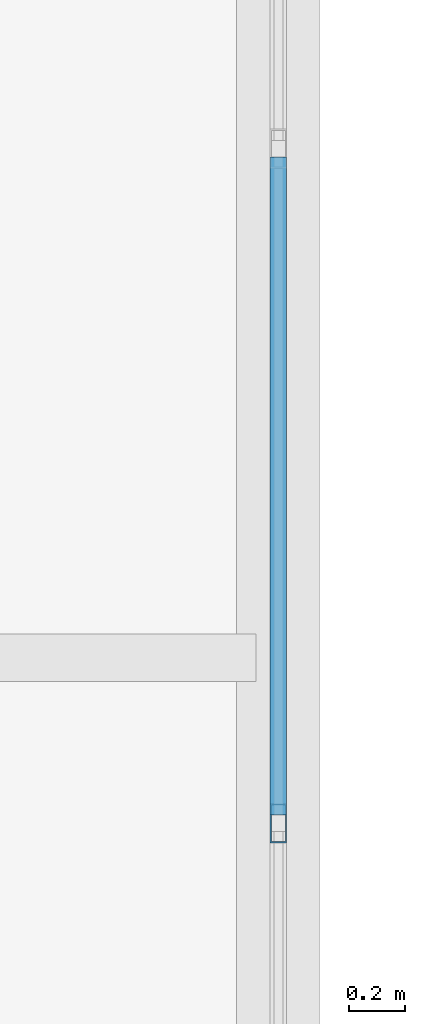
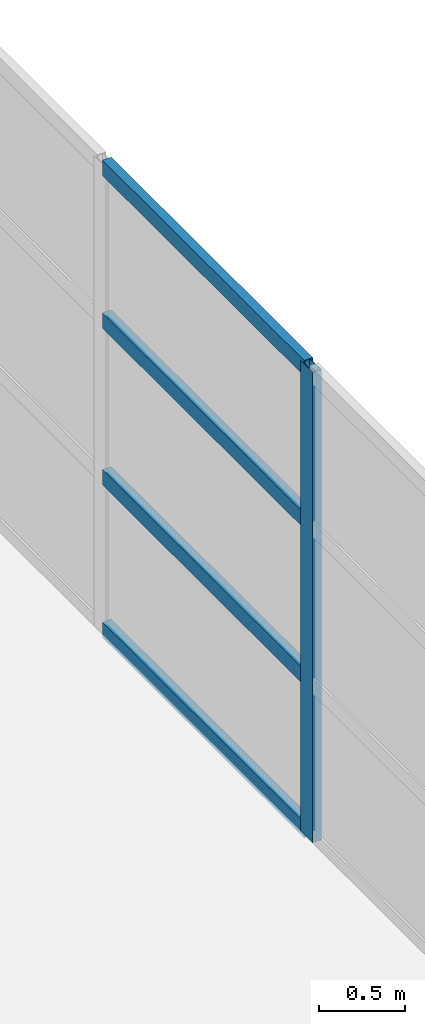
# One storey, part 109 of 158: 5 members, 1 element without a shape of its own.
"""IFC4 building model written with IfcOpenShell, lengths in metres."""

from ifc_helpers import new_model, si_unit, direction, frame, origin, origin_2d, place, context, subcontext, project, spatial, hollow_rectangle, extrude, material, layer, layer_set, material_profile, profile_set, type_object, element, aggregate, save


model = new_model("IFC4")

# Units and contexts
model_context = context("Model", 3, precision=1e-05, world=origin(), true_north=direction((0.0, 1.0)))
body_context = subcontext(model_context, "Body", "Model", "MODEL_VIEW")
ifc_project = project(units=[si_unit("LENGTHUNIT", "METRE"), si_unit("AREAUNIT", "SQUARE_METRE"), si_unit("VOLUMEUNIT", "CUBIC_METRE"), si_unit("PLANEANGLEUNIT", "RADIAN"), si_unit("MASSUNIT", "GRAM", prefix="KILO")], contexts=[model_context])

# Site, building, storey
site_placement = place(None, origin())
site = spatial("IfcSite", under=ifc_project, at=site_placement, CompositionType="ELEMENT")
building_placement = place(site_placement, origin())
building = spatial("IfcBuilding", under=site, at=building_placement, Name="Zilviju Railside Exhibition Hall", CompositionType="ELEMENT")
storey_placement = place(building_placement, frame((0.0, 0.0, 4.199951171875)))
storey = spatial("IfcBuildingStorey", under=building, at=storey_placement, Name="L02", CompositionType="ELEMENT", Elevation=4.199951171875)

# Curtain wall, members
ifc_material_1 = material(Name="Thermally broken aluminium-steel triple-glazed curtain wall", Category="steel")
ifc_layer = layer(ifc_material_1, 0.179931640625)
ifc_layer_set = layer_set([ifc_layer], Name="Thermally broken aluminium-steel triple-glazed curtain wall")
curtain_wall_type = type_object("IfcCurtainWallType", Name="CW-BAY-15", PredefinedType="USERDEFINED", material=ifc_layer_set)
curtain_wall_placement = place(storey_placement, origin())
curtain_wall = element("IfcCurtainWall", 1, at=curtain_wall_placement, inside=storey, type_object=curtain_wall_type, Name="North Hall East Glazed Gable L02 (84..102)", ObjectType="GLAZED CURTAIN WALL", PredefinedType="USERDEFINED")
ifc_material_2 = material(Name="Thermally broken anodized aluminium mullion", Category="aluminium")
ifc_material_profile_1 = material_profile(ifc_material_2, hollow_rectangle(XDim=0.06005859375, YDim=0.139892578125, WallThickness=0.0048828125, at=origin_2d()), Name="MULLION 140x60x5")
ifc_profile_set_1 = profile_set([ifc_material_profile_1], Name="Thermally broken anodized aluminium mullion")
member_type_1 = type_object("IfcMemberType", Name="CWM-60x140", PredefinedType="MULLION", material=ifc_profile_set_1)
member_1_placement = place(storey_placement, frame((216.0, 94.20703125, 0.0), z_axis=(0.0, 0.0, 1.0), x_axis=(1.0, 0.0, 0.0)))
member_1 = element("IfcMember", 2, at=member_1_placement, type_object=member_type_1, Name="CW-15 mullion 4", PredefinedType="MULLION", context=body_context, shape_type="SweptSolid", body=[
    extrude(hollow_rectangle(XDim=0.06005859375, YDim=0.139892578125, WallThickness=0.0048828125, at=origin_2d()), origin(), (0.0, 0.0, 1.0), 3.35009765625),
])
ifc_material_3 = material(Name="Thermally broken anodized aluminium transom", Category="aluminium")
ifc_material_profile_2 = material_profile(ifc_material_3, hollow_rectangle(XDim=0.06005859375, YDim=0.110107421875, WallThickness=0.0048828125, at=origin_2d()), Name="TRANSOM 110x60x5")
ifc_profile_set_2 = profile_set([ifc_material_profile_2], Name="Thermally broken anodized aluminium transom")
member_type_2 = type_object("IfcMemberType", Name="CWT-60x110", PredefinedType="USERDEFINED", material=ifc_profile_set_2)
member_2_placement = place(storey_placement, frame((216.0, 96.59130859375, 0.030029296875), z_axis=(0.0, -1.0, 0.0), x_axis=(1.0, 0.0, 0.0)))
member_2 = element("IfcMember", 3, at=member_2_placement, type_object=member_type_2, Name="CW-15 transom 3.1", ObjectType="TRANSOM", PredefinedType="USERDEFINED", context=body_context, shape_type="SweptSolid", body=[
    extrude(hollow_rectangle(XDim=0.06005859375, YDim=0.110107421875, WallThickness=0.0048828125, at=origin_2d()), origin(), (0.0, 0.0, 1.0), 2.354248046875),
])
member_3_placement = place(storey_placement, frame((216.0, 96.59130859375, 1.116943359375), z_axis=(0.0, -1.0, 0.0), x_axis=(1.0, 0.0, 0.0)))
member_3 = element("IfcMember", 4, at=member_3_placement, type_object=member_type_2, Name="CW-15 transom 3.2", ObjectType="TRANSOM", PredefinedType="USERDEFINED", context=body_context, shape_type="SweptSolid", body=[
    extrude(hollow_rectangle(XDim=0.06005859375, YDim=0.110107421875, WallThickness=0.0048828125, at=origin_2d()), origin(), (0.0, 0.0, 1.0), 2.354248046875),
])
member_4_placement = place(storey_placement, frame((216.0, 96.59130859375, 2.233154296875), z_axis=(0.0, -1.0, 0.0), x_axis=(1.0, 0.0, 0.0)))
member_4 = element("IfcMember", 5, at=member_4_placement, type_object=member_type_2, Name="CW-15 transom 3.3", ObjectType="TRANSOM", PredefinedType="USERDEFINED", context=body_context, shape_type="SweptSolid", body=[
    extrude(hollow_rectangle(XDim=0.06005859375, YDim=0.110107421875, WallThickness=0.0048828125, at=origin_2d()), origin(), (0.0, 0.0, 1.0), 2.354248046875),
])
member_5_placement = place(storey_placement, frame((216.0, 96.59130859375, 3.320068359375), z_axis=(0.0, -1.0, 0.0), x_axis=(1.0, 0.0, 0.0)))
member_5 = element("IfcMember", 6, at=member_5_placement, type_object=member_type_2, Name="CW-15 transom 3.4", ObjectType="TRANSOM", PredefinedType="USERDEFINED", context=body_context, shape_type="SweptSolid", body=[
    extrude(hollow_rectangle(XDim=0.06005859375, YDim=0.110107421875, WallThickness=0.0048828125, at=origin_2d()), origin(), (0.0, 0.0, 1.0), 2.354248046875),
])
aggregate(curtain_wall, [member_1, member_2, member_3, member_4, member_5])

save(model, "model.ifc")
